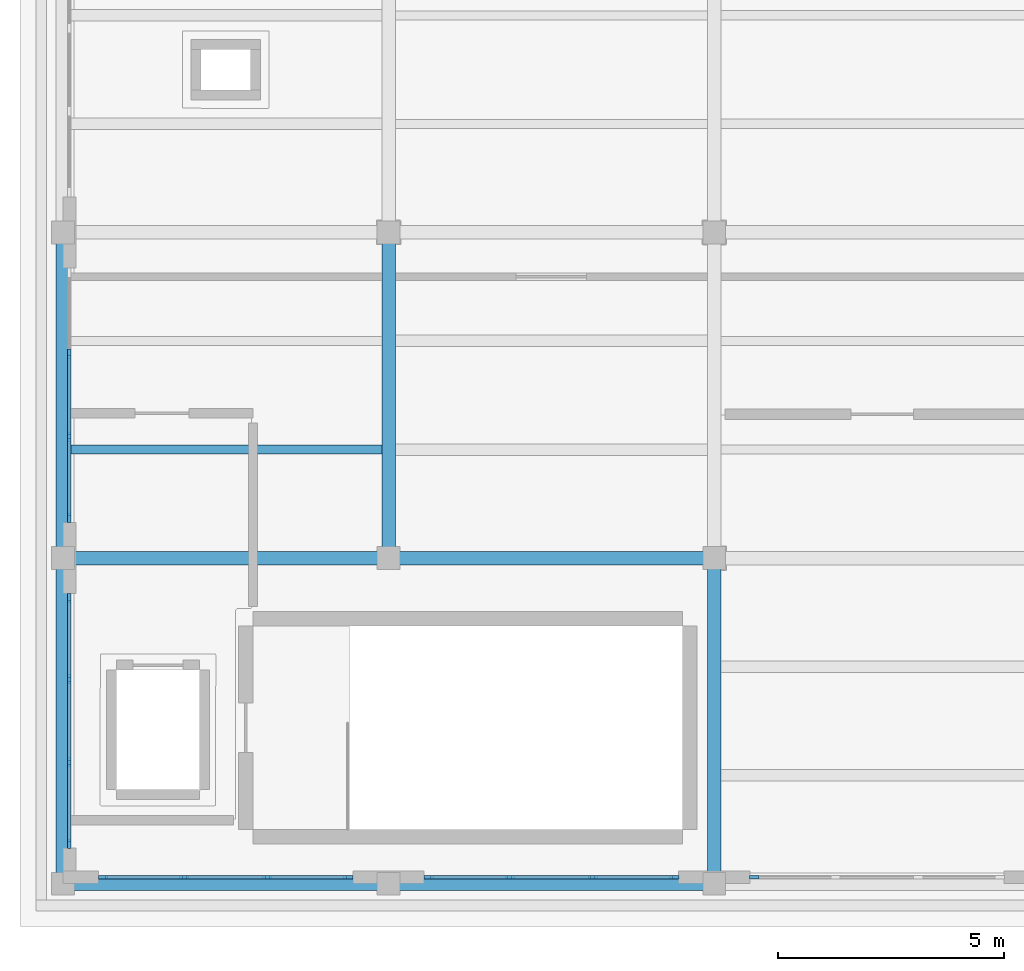
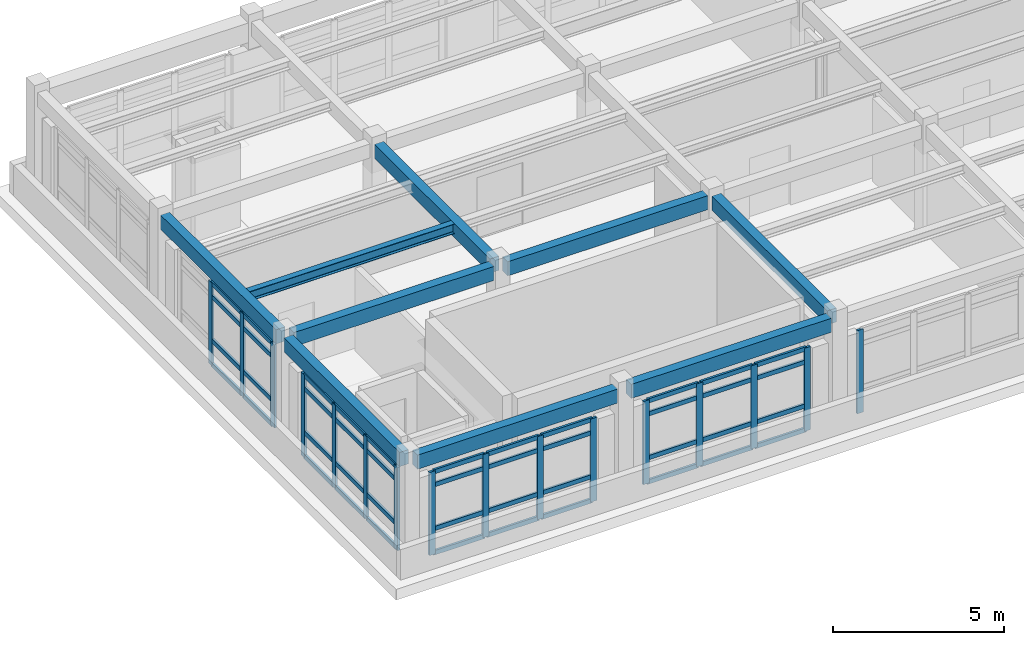
# One storey, part 2 of 12: 60 members, 9 beams, 5 elements without a shape of their own.
"""IFC4 building model written with IfcOpenShell, lengths in metres."""

from ifc_helpers import new_model, si_unit, direction, frame, origin, origin_2d, place, context, subcontext, project, spatial, rectangle, i_section, extrude, material, layer, layer_set, material_profile, profile_set, type_object, element, aggregate, save


model = new_model("IFC4")

# Units and contexts
model_context = context("Model", 3, precision=1e-05, world=origin(), true_north=direction((0.0, 1.0)))
body_context = subcontext(model_context, "Body", "Model", "MODEL_VIEW")
ifc_project = project(units=[si_unit("LENGTHUNIT", "METRE"), si_unit("AREAUNIT", "SQUARE_METRE"), si_unit("VOLUMEUNIT", "CUBIC_METRE"), si_unit("PLANEANGLEUNIT", "RADIAN"), si_unit("MASSUNIT", "GRAM", prefix="KILO")], contexts=[model_context])

# Site, building, storey
site_placement = place(None, origin())
site = spatial("IfcSite", under=ifc_project, at=site_placement, CompositionType="ELEMENT")
building_placement = place(site_placement, origin())
building = spatial("IfcBuilding", under=site, at=building_placement, Name="Solenvale Faculty of Natural Sciences", CompositionType="ELEMENT")
storey_placement = place(building_placement, frame((0.0, 0.0, 52.199951171875)))
storey = spatial("IfcBuildingStorey", under=building, at=storey_placement, Name="RF", CompositionType="ELEMENT", Elevation=52.199951171875)

# Beams
ifc_material_1 = material(Name="Concrete 40 MPa", Category="concrete")
ifc_material_profile_1 = material_profile(ifc_material_1, rectangle(XDim=0.300048828125, YDim=0.5, at=origin_2d()), Name="RC-BM-300x500")
ifc_profile_set_1 = profile_set([ifc_material_profile_1], Name="Concrete 40 MPa")
beam_type_1 = type_object("IfcBeamType", Name="BM-RC-300x500", PredefinedType="BEAM", material=ifc_profile_set_1)
for number, where, z_axis, x_axis, name in (
    (1, (101.030029296875, 93.60009765625, 3.670166015625), (1.0, 0.0, 0.0), (0.0, 1.0, 0.0), "RF X-Girder Y93.6 (100.8..108.0)"),
    (2, (108.22998046875, 93.60009765625, 3.670166015625), (1.0, 0.0, 0.0), (0.0, 1.0, 0.0), "RF X-Girder Y93.6 (108.0..115.2)"),
    (3, (101.030029296875, 100.800048828125, 3.670166015625), (1.0, 0.0, 0.0), (0.0, 1.0, 0.0), "RF X-Girder Y100.8 (100.8..108.0)"),
    (4, (108.22998046875, 100.800048828125, 3.670166015625), (1.0, 0.0, 0.0), (0.0, 1.0, 0.0), "RF X-Girder Y100.8 (108.0..115.2)"),
    (5, (100.800048828125, 93.830078125, 3.670166015625), (0.0, 1.0, 0.0), (-1.0, 0.0, 0.0), "RF Y-Girder X100.8 (93.6..100.8)"),
    (6, (100.800048828125, 101.030029296875, 3.670166015625), (0.0, 1.0, 0.0), (-1.0, 0.0, 0.0), "RF Y-Girder X100.8 (100.8..108.0)"),
    (7, (108.0, 101.030029296875, 3.670166015625), (0.0, 1.0, 0.0), (-1.0, 0.0, 0.0), "RF Y-Girder X108.0 (100.8..108.0)"),
    (8, (115.199951171875, 93.830078125, 3.670166015625), (0.0, 1.0, 0.0), (-1.0, 0.0, 0.0), "RF Y-Girder X115.2 (93.6..100.8)"),
):
    element("IfcBeam", number, at=place(storey_placement, frame(where, z_axis=z_axis, x_axis=x_axis)), inside=storey, type_object=beam_type_1, Name=name, PredefinedType="BEAM", context=body_context, shape_type="SweptSolid", body=[
        extrude(rectangle(XDim=0.300048828125, YDim=0.5, at=origin_2d()), origin(), (0.0, 0.0, 1.0), 6.739990234375),
    ])
ifc_material_2 = material(Name="Steel S355", Category="steel")
ifc_material_profile_2 = material_profile(ifc_material_2, i_section(OverallWidth=0.2041015625, OverallDepth=0.35009765625, WebThickness=0.008544921875, FlangeThickness=0.01513671875, FilletRadius=0.014892578125, at=origin_2d()), Name="W360x72")
ifc_profile_set_2 = profile_set([ifc_material_profile_2], Name="Steel S355")
beam_type_2 = type_object("IfcBeamType", Name="BM-STL-W360x72", PredefinedType="JOIST", material=ifc_profile_set_2)
beam_placement = place(storey_placement, frame((100.929931640625, 103.199951171875, 3.7451171875), z_axis=(1.0, 0.0, 0.0), x_axis=(0.0, 1.0, 0.0)))
element("IfcBeam", 9, at=beam_placement, inside=storey, type_object=beam_type_2, Name="RF Composite Floor Joist (15,15).1", PredefinedType="JOIST", context=body_context, shape_type="SweptSolid", body=[
    extrude(i_section(OverallWidth=0.2041015625, OverallDepth=0.35009765625, WebThickness=0.008544921875, FlangeThickness=0.01513671875, FilletRadius=0.014892578125, at=origin_2d()), origin(), (0.0, 0.0, 1.0), 6.940185546875),
])

# Curtain wall, members
ifc_material_3 = material(Name="Anodised bronze aluminium", Category="aluminium")
ifc_layer = layer(ifc_material_3, 0.179931640625)
ifc_layer_set = layer_set([ifc_layer], Name="Anodised bronze aluminium")
curtain_wall_type = type_object("IfcCurtainWallType", Name="CW-TWR-MOD", PredefinedType="USERDEFINED", material=ifc_layer_set)
curtain_wall_1_placement = place(storey_placement, origin())
curtain_wall_1 = element("IfcCurtainWall", 10, at=curtain_wall_1_placement, inside=storey, type_object=curtain_wall_type, Name="RF Curtain Wall CW-RF-P1-E3-B2", ObjectType="UNITISED CURTAIN WALL", PredefinedType="USERDEFINED")
ifc_material_profile_3 = material_profile(ifc_material_3, rectangle(XDim=0.074951171875, YDim=0.2099609375, at=origin_2d()), Name="ALU-MUL-75x210")
ifc_profile_set_3 = profile_set([ifc_material_profile_3], Name="Anodised bronze aluminium")
member_type_1 = type_object("IfcMemberType", Name="CWM-ALU-75x210", PredefinedType="MULLION", material=ifc_profile_set_3)
member_1_placement = place(storey_placement, frame((100.9423828125, 105.316650390625, 0.0), z_axis=(0.0, 0.0, 1.0), x_axis=(1.0, 0.0, 0.0)))
member_1 = element("IfcMember", 11, at=member_1_placement, type_object=member_type_1, Name="CW-04 mullion 2", PredefinedType="MULLION", context=body_context, shape_type="SweptSolid", body=[
    extrude(rectangle(XDim=0.074951171875, YDim=0.2099609375, at=origin_2d()), origin(), (0.0, 0.0, 1.0), 2.9599609375),
])
member_2_placement = place(storey_placement, frame((100.9423828125, 103.4833984375, 0.0), z_axis=(0.0, 0.0, 1.0), x_axis=(1.0, 0.0, 0.0)))
member_2 = element("IfcMember", 12, at=member_2_placement, type_object=member_type_1, Name="CW-04 mullion 3", PredefinedType="MULLION", context=body_context, shape_type="SweptSolid", body=[
    extrude(rectangle(XDim=0.074951171875, YDim=0.2099609375, at=origin_2d()), origin(), (0.0, 0.0, 1.0), 2.9599609375),
])
member_3_placement = place(storey_placement, frame((100.9423828125, 101.6875, 0.0), z_axis=(0.0, 0.0, 1.0), x_axis=(1.0, 0.0, 0.0)))
member_3 = element("IfcMember", 13, at=member_3_placement, type_object=member_type_1, Name="CW-04 mullion 4", PredefinedType="MULLION", context=body_context, shape_type="SweptSolid", body=[
    extrude(rectangle(XDim=0.074951171875, YDim=0.2099609375, at=origin_2d()), origin(), (0.0, 0.0, 1.0), 2.9599609375),
])

curtain_wall_2_placement = place(storey_placement, origin())
curtain_wall_2 = element("IfcCurtainWall", 14, at=curtain_wall_2_placement, inside=storey, type_object=curtain_wall_type, Name="RF Curtain Wall CW-RF-P1-E3-B3", ObjectType="UNITISED CURTAIN WALL", PredefinedType="USERDEFINED")
member_4_placement = place(storey_placement, frame((100.9423828125, 99.91259765625, 0.0), z_axis=(0.0, 0.0, 1.0), x_axis=(1.0, 0.0, 0.0)))
member_4 = element("IfcMember", 15, at=member_4_placement, type_object=member_type_1, Name="CW-04 mullion 1", PredefinedType="MULLION", context=body_context, shape_type="SweptSolid", body=[
    extrude(rectangle(XDim=0.074951171875, YDim=0.2099609375, at=origin_2d()), origin(), (0.0, 0.0, 1.0), 2.9599609375),
])
member_5_placement = place(storey_placement, frame((100.9423828125, 98.11669921875, 0.0), z_axis=(0.0, 0.0, 1.0), x_axis=(1.0, 0.0, 0.0)))
member_5 = element("IfcMember", 16, at=member_5_placement, type_object=member_type_1, Name="CW-04 mullion 2", PredefinedType="MULLION", context=body_context, shape_type="SweptSolid", body=[
    extrude(rectangle(XDim=0.074951171875, YDim=0.2099609375, at=origin_2d()), origin(), (0.0, 0.0, 1.0), 2.9599609375),
])
member_6_placement = place(storey_placement, frame((100.9423828125, 96.283447265625, 0.0), z_axis=(0.0, 0.0, 1.0), x_axis=(1.0, 0.0, 0.0)))
member_6 = element("IfcMember", 17, at=member_6_placement, type_object=member_type_1, Name="CW-04 mullion 3", PredefinedType="MULLION", context=body_context, shape_type="SweptSolid", body=[
    extrude(rectangle(XDim=0.074951171875, YDim=0.2099609375, at=origin_2d()), origin(), (0.0, 0.0, 1.0), 2.9599609375),
])
member_7_placement = place(storey_placement, frame((100.9423828125, 94.487548828125, 0.0), z_axis=(0.0, 0.0, 1.0), x_axis=(1.0, 0.0, 0.0)))
member_7 = element("IfcMember", 18, at=member_7_placement, type_object=member_type_1, Name="CW-04 mullion 4", PredefinedType="MULLION", context=body_context, shape_type="SweptSolid", body=[
    extrude(rectangle(XDim=0.074951171875, YDim=0.2099609375, at=origin_2d()), origin(), (0.0, 0.0, 1.0), 2.9599609375),
])

curtain_wall_3_placement = place(storey_placement, origin())
curtain_wall_3 = element("IfcCurtainWall", 19, at=curtain_wall_3_placement, inside=storey, type_object=curtain_wall_type, Name="RF Curtain Wall CW-RF-P1-E4-B1", ObjectType="UNITISED CURTAIN WALL", PredefinedType="USERDEFINED")
member_8_placement = place(storey_placement, frame((101.6875, 93.742431640625, 0.0), z_axis=(0.0, 0.0, 1.0), x_axis=(0.0, 1.0, 0.0)))
member_8 = element("IfcMember", 20, at=member_8_placement, type_object=member_type_1, Name="CW-04 mullion 1", PredefinedType="MULLION", context=body_context, shape_type="SweptSolid", body=[
    extrude(rectangle(XDim=0.074951171875, YDim=0.2099609375, at=origin_2d()), origin(), (0.0, 0.0, 1.0), 2.9599609375),
])
member_9_placement = place(storey_placement, frame((103.4833984375, 93.742431640625, 0.0), z_axis=(0.0, 0.0, 1.0), x_axis=(0.0, 1.0, 0.0)))
member_9 = element("IfcMember", 21, at=member_9_placement, type_object=member_type_1, Name="CW-04 mullion 2", PredefinedType="MULLION", context=body_context, shape_type="SweptSolid", body=[
    extrude(rectangle(XDim=0.074951171875, YDim=0.2099609375, at=origin_2d()), origin(), (0.0, 0.0, 1.0), 2.9599609375),
])
member_10_placement = place(storey_placement, frame((105.316650390625, 93.742431640625, 0.0), z_axis=(0.0, 0.0, 1.0), x_axis=(0.0, 1.0, 0.0)))
member_10 = element("IfcMember", 22, at=member_10_placement, type_object=member_type_1, Name="CW-04 mullion 3", PredefinedType="MULLION", context=body_context, shape_type="SweptSolid", body=[
    extrude(rectangle(XDim=0.074951171875, YDim=0.2099609375, at=origin_2d()), origin(), (0.0, 0.0, 1.0), 2.9599609375),
])
member_11_placement = place(storey_placement, frame((107.112548828125, 93.742431640625, 0.0), z_axis=(0.0, 0.0, 1.0), x_axis=(0.0, 1.0, 0.0)))
member_11 = element("IfcMember", 23, at=member_11_placement, type_object=member_type_1, Name="CW-04 mullion 4", PredefinedType="MULLION", context=body_context, shape_type="SweptSolid", body=[
    extrude(rectangle(XDim=0.074951171875, YDim=0.2099609375, at=origin_2d()), origin(), (0.0, 0.0, 1.0), 2.9599609375),
])

curtain_wall_4_placement = place(storey_placement, origin())
curtain_wall_4 = element("IfcCurtainWall", 24, at=curtain_wall_4_placement, inside=storey, type_object=curtain_wall_type, Name="RF Curtain Wall CW-RF-P1-E4-B2", ObjectType="UNITISED CURTAIN WALL", PredefinedType="USERDEFINED")
member_12_placement = place(storey_placement, frame((108.887451171875, 93.742431640625, 0.0), z_axis=(0.0, 0.0, 1.0), x_axis=(0.0, 1.0, 0.0)))
member_12 = element("IfcMember", 25, at=member_12_placement, type_object=member_type_1, Name="CW-04 mullion 1", PredefinedType="MULLION", context=body_context, shape_type="SweptSolid", body=[
    extrude(rectangle(XDim=0.074951171875, YDim=0.2099609375, at=origin_2d()), origin(), (0.0, 0.0, 1.0), 2.9599609375),
])
member_13_placement = place(storey_placement, frame((110.683349609375, 93.742431640625, 0.0), z_axis=(0.0, 0.0, 1.0), x_axis=(0.0, 1.0, 0.0)))
member_13 = element("IfcMember", 26, at=member_13_placement, type_object=member_type_1, Name="CW-04 mullion 2", PredefinedType="MULLION", context=body_context, shape_type="SweptSolid", body=[
    extrude(rectangle(XDim=0.074951171875, YDim=0.2099609375, at=origin_2d()), origin(), (0.0, 0.0, 1.0), 2.9599609375),
])
member_14_placement = place(storey_placement, frame((112.5166015625, 93.742431640625, 0.0), z_axis=(0.0, 0.0, 1.0), x_axis=(0.0, 1.0, 0.0)))
member_14 = element("IfcMember", 27, at=member_14_placement, type_object=member_type_1, Name="CW-04 mullion 3", PredefinedType="MULLION", context=body_context, shape_type="SweptSolid", body=[
    extrude(rectangle(XDim=0.074951171875, YDim=0.2099609375, at=origin_2d()), origin(), (0.0, 0.0, 1.0), 2.9599609375),
])
member_15_placement = place(storey_placement, frame((114.3125, 93.742431640625, 0.0), z_axis=(0.0, 0.0, 1.0), x_axis=(0.0, 1.0, 0.0)))
member_15 = element("IfcMember", 28, at=member_15_placement, type_object=member_type_1, Name="CW-04 mullion 4", PredefinedType="MULLION", context=body_context, shape_type="SweptSolid", body=[
    extrude(rectangle(XDim=0.074951171875, YDim=0.2099609375, at=origin_2d()), origin(), (0.0, 0.0, 1.0), 2.9599609375),
])

# Curtain wall, member
curtain_wall_5_placement = place(storey_placement, origin())
curtain_wall_5 = element("IfcCurtainWall", 29, at=curtain_wall_5_placement, inside=storey, type_object=curtain_wall_type, Name="RF Curtain Wall CW-RF-P1-E4-B3", ObjectType="UNITISED CURTAIN WALL", PredefinedType="USERDEFINED")
member_16_placement = place(storey_placement, frame((116.08740234375, 93.742431640625, 0.0), z_axis=(0.0, 0.0, 1.0), x_axis=(0.0, 1.0, 0.0)))
member_16 = element("IfcMember", 30, at=member_16_placement, type_object=member_type_1, Name="CW-04 mullion 1", PredefinedType="MULLION", context=body_context, shape_type="SweptSolid", body=[
    extrude(rectangle(XDim=0.074951171875, YDim=0.2099609375, at=origin_2d()), origin(), (0.0, 0.0, 1.0), 2.9599609375),
])
aggregate(curtain_wall_5, [member_16])

# Member
ifc_material_profile_4 = material_profile(ifc_material_3, rectangle(XDim=0.074951171875, YDim=0.155029296875, at=origin_2d()), Name="ALU-TRN-75x155")
ifc_profile_set_4 = profile_set([ifc_material_profile_4], Name="Anodised bronze aluminium")
member_type_2 = type_object("IfcMemberType", Name="CWT-ALU-75x155", PredefinedType="USERDEFINED", material=ifc_profile_set_4)
member_17_placement = place(storey_placement, frame((100.9423828125, 105.279052734375, 0.03759765625), z_axis=(0.0, -1.0, 0.0), x_axis=(1.0, 0.0, 0.0)))
member_17 = element("IfcMember", 31, at=member_17_placement, type_object=member_type_2, Name="CW-04 transom 2.1", ObjectType="TRANSOM", PredefinedType="USERDEFINED", context=body_context, shape_type="SweptSolid", body=[
    extrude(rectangle(XDim=0.074951171875, YDim=0.155029296875, at=origin_2d()), origin(), (0.0, 0.0, 1.0), 1.75830078125),
])

member_18_placement = place(storey_placement, frame((100.9423828125, 105.279052734375, 0.900146484375), z_axis=(0.0, -1.0, 0.0), x_axis=(1.0, 0.0, 0.0)))
member_18 = element("IfcMember", 32, at=member_18_placement, type_object=member_type_2, Name="CW-04 transom 2.2", ObjectType="TRANSOM", PredefinedType="USERDEFINED", context=body_context, shape_type="SweptSolid", body=[
    extrude(rectangle(XDim=0.074951171875, YDim=0.155029296875, at=origin_2d()), origin(), (0.0, 0.0, 1.0), 1.75830078125),
])

member_19_placement = place(storey_placement, frame((100.9423828125, 105.279052734375, 2.4599609375), z_axis=(0.0, -1.0, 0.0), x_axis=(1.0, 0.0, 0.0)))
member_19 = element("IfcMember", 33, at=member_19_placement, type_object=member_type_2, Name="CW-04 transom 2.3", ObjectType="TRANSOM", PredefinedType="USERDEFINED", context=body_context, shape_type="SweptSolid", body=[
    extrude(rectangle(XDim=0.074951171875, YDim=0.155029296875, at=origin_2d()), origin(), (0.0, 0.0, 1.0), 1.75830078125),
])

member_20_placement = place(storey_placement, frame((100.9423828125, 105.279052734375, 2.922607421875), z_axis=(0.0, -1.0, 0.0), x_axis=(1.0, 0.0, 0.0)))
member_20 = element("IfcMember", 34, at=member_20_placement, type_object=member_type_2, Name="CW-04 transom 2.4", ObjectType="TRANSOM", PredefinedType="USERDEFINED", context=body_context, shape_type="SweptSolid", body=[
    extrude(rectangle(XDim=0.074951171875, YDim=0.155029296875, at=origin_2d()), origin(), (0.0, 0.0, 1.0), 1.75830078125),
])

member_21_placement = place(storey_placement, frame((100.9423828125, 103.44580078125, 0.03759765625), z_axis=(0.0, -1.0, 0.0), x_axis=(1.0, 0.0, 0.0)))
member_21 = element("IfcMember", 35, at=member_21_placement, type_object=member_type_2, Name="CW-04 transom 3.1", ObjectType="TRANSOM", PredefinedType="USERDEFINED", context=body_context, shape_type="SweptSolid", body=[
    extrude(rectangle(XDim=0.074951171875, YDim=0.155029296875, at=origin_2d()), origin(), (0.0, 0.0, 1.0), 1.720703125),
])

member_22_placement = place(storey_placement, frame((100.9423828125, 103.44580078125, 0.900146484375), z_axis=(0.0, -1.0, 0.0), x_axis=(1.0, 0.0, 0.0)))
member_22 = element("IfcMember", 36, at=member_22_placement, type_object=member_type_2, Name="CW-04 transom 3.2", ObjectType="TRANSOM", PredefinedType="USERDEFINED", context=body_context, shape_type="SweptSolid", body=[
    extrude(rectangle(XDim=0.074951171875, YDim=0.155029296875, at=origin_2d()), origin(), (0.0, 0.0, 1.0), 1.720703125),
])

member_23_placement = place(storey_placement, frame((100.9423828125, 103.44580078125, 2.4599609375), z_axis=(0.0, -1.0, 0.0), x_axis=(1.0, 0.0, 0.0)))
member_23 = element("IfcMember", 37, at=member_23_placement, type_object=member_type_2, Name="CW-04 transom 3.3", ObjectType="TRANSOM", PredefinedType="USERDEFINED", context=body_context, shape_type="SweptSolid", body=[
    extrude(rectangle(XDim=0.074951171875, YDim=0.155029296875, at=origin_2d()), origin(), (0.0, 0.0, 1.0), 1.720703125),
])

member_24_placement = place(storey_placement, frame((100.9423828125, 103.44580078125, 2.922607421875), z_axis=(0.0, -1.0, 0.0), x_axis=(1.0, 0.0, 0.0)))
member_24 = element("IfcMember", 38, at=member_24_placement, type_object=member_type_2, Name="CW-04 transom 3.4", ObjectType="TRANSOM", PredefinedType="USERDEFINED", context=body_context, shape_type="SweptSolid", body=[
    extrude(rectangle(XDim=0.074951171875, YDim=0.155029296875, at=origin_2d()), origin(), (0.0, 0.0, 1.0), 1.720703125),
])

aggregate(curtain_wall_1, [member_1, member_2, member_3, member_17, member_18, member_19, member_20, member_21, member_22, member_23, member_24])

member_25_placement = place(storey_placement, frame((100.9423828125, 99.875, 0.03759765625), z_axis=(0.0, -1.0, 0.0), x_axis=(1.0, 0.0, 0.0)))
member_25 = element("IfcMember", 39, at=member_25_placement, type_object=member_type_2, Name="CW-04 transom 1.1", ObjectType="TRANSOM", PredefinedType="USERDEFINED", context=body_context, shape_type="SweptSolid", body=[
    extrude(rectangle(XDim=0.074951171875, YDim=0.155029296875, at=origin_2d()), origin(), (0.0, 0.0, 1.0), 1.720947265625),
])

member_26_placement = place(storey_placement, frame((100.9423828125, 99.875, 0.900146484375), z_axis=(0.0, -1.0, 0.0), x_axis=(1.0, 0.0, 0.0)))
member_26 = element("IfcMember", 40, at=member_26_placement, type_object=member_type_2, Name="CW-04 transom 1.2", ObjectType="TRANSOM", PredefinedType="USERDEFINED", context=body_context, shape_type="SweptSolid", body=[
    extrude(rectangle(XDim=0.074951171875, YDim=0.155029296875, at=origin_2d()), origin(), (0.0, 0.0, 1.0), 1.720947265625),
])

member_27_placement = place(storey_placement, frame((100.9423828125, 99.875, 2.4599609375), z_axis=(0.0, -1.0, 0.0), x_axis=(1.0, 0.0, 0.0)))
member_27 = element("IfcMember", 41, at=member_27_placement, type_object=member_type_2, Name="CW-04 transom 1.3", ObjectType="TRANSOM", PredefinedType="USERDEFINED", context=body_context, shape_type="SweptSolid", body=[
    extrude(rectangle(XDim=0.074951171875, YDim=0.155029296875, at=origin_2d()), origin(), (0.0, 0.0, 1.0), 1.720947265625),
])

member_28_placement = place(storey_placement, frame((100.9423828125, 99.875, 2.922607421875), z_axis=(0.0, -1.0, 0.0), x_axis=(1.0, 0.0, 0.0)))
member_28 = element("IfcMember", 42, at=member_28_placement, type_object=member_type_2, Name="CW-04 transom 1.4", ObjectType="TRANSOM", PredefinedType="USERDEFINED", context=body_context, shape_type="SweptSolid", body=[
    extrude(rectangle(XDim=0.074951171875, YDim=0.155029296875, at=origin_2d()), origin(), (0.0, 0.0, 1.0), 1.720947265625),
])

member_29_placement = place(storey_placement, frame((100.9423828125, 98.0791015625, 0.03759765625), z_axis=(0.0, -1.0, 0.0), x_axis=(1.0, 0.0, 0.0)))
member_29 = element("IfcMember", 43, at=member_29_placement, type_object=member_type_2, Name="CW-04 transom 2.1", ObjectType="TRANSOM", PredefinedType="USERDEFINED", context=body_context, shape_type="SweptSolid", body=[
    extrude(rectangle(XDim=0.074951171875, YDim=0.155029296875, at=origin_2d()), origin(), (0.0, 0.0, 1.0), 1.75830078125),
])

member_30_placement = place(storey_placement, frame((100.9423828125, 98.0791015625, 0.900146484375), z_axis=(0.0, -1.0, 0.0), x_axis=(1.0, 0.0, 0.0)))
member_30 = element("IfcMember", 44, at=member_30_placement, type_object=member_type_2, Name="CW-04 transom 2.2", ObjectType="TRANSOM", PredefinedType="USERDEFINED", context=body_context, shape_type="SweptSolid", body=[
    extrude(rectangle(XDim=0.074951171875, YDim=0.155029296875, at=origin_2d()), origin(), (0.0, 0.0, 1.0), 1.75830078125),
])

member_31_placement = place(storey_placement, frame((100.9423828125, 98.0791015625, 2.4599609375), z_axis=(0.0, -1.0, 0.0), x_axis=(1.0, 0.0, 0.0)))
member_31 = element("IfcMember", 45, at=member_31_placement, type_object=member_type_2, Name="CW-04 transom 2.3", ObjectType="TRANSOM", PredefinedType="USERDEFINED", context=body_context, shape_type="SweptSolid", body=[
    extrude(rectangle(XDim=0.074951171875, YDim=0.155029296875, at=origin_2d()), origin(), (0.0, 0.0, 1.0), 1.75830078125),
])

member_32_placement = place(storey_placement, frame((100.9423828125, 98.0791015625, 2.922607421875), z_axis=(0.0, -1.0, 0.0), x_axis=(1.0, 0.0, 0.0)))
member_32 = element("IfcMember", 46, at=member_32_placement, type_object=member_type_2, Name="CW-04 transom 2.4", ObjectType="TRANSOM", PredefinedType="USERDEFINED", context=body_context, shape_type="SweptSolid", body=[
    extrude(rectangle(XDim=0.074951171875, YDim=0.155029296875, at=origin_2d()), origin(), (0.0, 0.0, 1.0), 1.75830078125),
])

member_33_placement = place(storey_placement, frame((100.9423828125, 96.245849609375, 0.03759765625), z_axis=(0.0, -1.0, 0.0), x_axis=(1.0, 0.0, 0.0)))
member_33 = element("IfcMember", 47, at=member_33_placement, type_object=member_type_2, Name="CW-04 transom 3.1", ObjectType="TRANSOM", PredefinedType="USERDEFINED", context=body_context, shape_type="SweptSolid", body=[
    extrude(rectangle(XDim=0.074951171875, YDim=0.155029296875, at=origin_2d()), origin(), (0.0, 0.0, 1.0), 1.720947265625),
])

member_34_placement = place(storey_placement, frame((100.9423828125, 96.245849609375, 0.900146484375), z_axis=(0.0, -1.0, 0.0), x_axis=(1.0, 0.0, 0.0)))
member_34 = element("IfcMember", 48, at=member_34_placement, type_object=member_type_2, Name="CW-04 transom 3.2", ObjectType="TRANSOM", PredefinedType="USERDEFINED", context=body_context, shape_type="SweptSolid", body=[
    extrude(rectangle(XDim=0.074951171875, YDim=0.155029296875, at=origin_2d()), origin(), (0.0, 0.0, 1.0), 1.720947265625),
])

member_35_placement = place(storey_placement, frame((100.9423828125, 96.245849609375, 2.4599609375), z_axis=(0.0, -1.0, 0.0), x_axis=(1.0, 0.0, 0.0)))
member_35 = element("IfcMember", 49, at=member_35_placement, type_object=member_type_2, Name="CW-04 transom 3.3", ObjectType="TRANSOM", PredefinedType="USERDEFINED", context=body_context, shape_type="SweptSolid", body=[
    extrude(rectangle(XDim=0.074951171875, YDim=0.155029296875, at=origin_2d()), origin(), (0.0, 0.0, 1.0), 1.720947265625),
])

member_36_placement = place(storey_placement, frame((100.9423828125, 96.245849609375, 2.922607421875), z_axis=(0.0, -1.0, 0.0), x_axis=(1.0, 0.0, 0.0)))
member_36 = element("IfcMember", 50, at=member_36_placement, type_object=member_type_2, Name="CW-04 transom 3.4", ObjectType="TRANSOM", PredefinedType="USERDEFINED", context=body_context, shape_type="SweptSolid", body=[
    extrude(rectangle(XDim=0.074951171875, YDim=0.155029296875, at=origin_2d()), origin(), (0.0, 0.0, 1.0), 1.720947265625),
])

aggregate(curtain_wall_2, [member_4, member_5, member_6, member_7, member_25, member_26, member_27, member_28, member_29, member_30, member_31, member_32, member_33, member_34, member_35, member_36])

member_37_placement = place(storey_placement, frame((101.72509765625, 93.742431640625, 0.03759765625), z_axis=(1.0, 0.0, 0.0), x_axis=(0.0, 1.0, 0.0)))
member_37 = element("IfcMember", 51, at=member_37_placement, type_object=member_type_2, Name="CW-04 transom 1.1", ObjectType="TRANSOM", PredefinedType="USERDEFINED", context=body_context, shape_type="SweptSolid", body=[
    extrude(rectangle(XDim=0.074951171875, YDim=0.155029296875, at=origin_2d()), origin(), (0.0, 0.0, 1.0), 1.720703125),
])

member_38_placement = place(storey_placement, frame((101.72509765625, 93.742431640625, 0.900146484375), z_axis=(1.0, 0.0, 0.0), x_axis=(0.0, 1.0, 0.0)))
member_38 = element("IfcMember", 52, at=member_38_placement, type_object=member_type_2, Name="CW-04 transom 1.2", ObjectType="TRANSOM", PredefinedType="USERDEFINED", context=body_context, shape_type="SweptSolid", body=[
    extrude(rectangle(XDim=0.074951171875, YDim=0.155029296875, at=origin_2d()), origin(), (0.0, 0.0, 1.0), 1.720703125),
])

member_39_placement = place(storey_placement, frame((101.72509765625, 93.742431640625, 2.4599609375), z_axis=(1.0, 0.0, 0.0), x_axis=(0.0, 1.0, 0.0)))
member_39 = element("IfcMember", 53, at=member_39_placement, type_object=member_type_2, Name="CW-04 transom 1.3", ObjectType="TRANSOM", PredefinedType="USERDEFINED", context=body_context, shape_type="SweptSolid", body=[
    extrude(rectangle(XDim=0.074951171875, YDim=0.155029296875, at=origin_2d()), origin(), (0.0, 0.0, 1.0), 1.720703125),
])

member_40_placement = place(storey_placement, frame((101.72509765625, 93.742431640625, 2.922607421875), z_axis=(1.0, 0.0, 0.0), x_axis=(0.0, 1.0, 0.0)))
member_40 = element("IfcMember", 54, at=member_40_placement, type_object=member_type_2, Name="CW-04 transom 1.4", ObjectType="TRANSOM", PredefinedType="USERDEFINED", context=body_context, shape_type="SweptSolid", body=[
    extrude(rectangle(XDim=0.074951171875, YDim=0.155029296875, at=origin_2d()), origin(), (0.0, 0.0, 1.0), 1.720703125),
])

member_41_placement = place(storey_placement, frame((103.520751953125, 93.742431640625, 0.03759765625), z_axis=(1.0, 0.0, 0.0), x_axis=(0.0, 1.0, 0.0)))
member_41 = element("IfcMember", 55, at=member_41_placement, type_object=member_type_2, Name="CW-04 transom 2.1", ObjectType="TRANSOM", PredefinedType="USERDEFINED", context=body_context, shape_type="SweptSolid", body=[
    extrude(rectangle(XDim=0.074951171875, YDim=0.155029296875, at=origin_2d()), origin(), (0.0, 0.0, 1.0), 1.75830078125),
])

member_42_placement = place(storey_placement, frame((103.520751953125, 93.742431640625, 0.900146484375), z_axis=(1.0, 0.0, 0.0), x_axis=(0.0, 1.0, 0.0)))
member_42 = element("IfcMember", 56, at=member_42_placement, type_object=member_type_2, Name="CW-04 transom 2.2", ObjectType="TRANSOM", PredefinedType="USERDEFINED", context=body_context, shape_type="SweptSolid", body=[
    extrude(rectangle(XDim=0.074951171875, YDim=0.155029296875, at=origin_2d()), origin(), (0.0, 0.0, 1.0), 1.75830078125),
])

member_43_placement = place(storey_placement, frame((103.520751953125, 93.742431640625, 2.4599609375), z_axis=(1.0, 0.0, 0.0), x_axis=(0.0, 1.0, 0.0)))
member_43 = element("IfcMember", 57, at=member_43_placement, type_object=member_type_2, Name="CW-04 transom 2.3", ObjectType="TRANSOM", PredefinedType="USERDEFINED", context=body_context, shape_type="SweptSolid", body=[
    extrude(rectangle(XDim=0.074951171875, YDim=0.155029296875, at=origin_2d()), origin(), (0.0, 0.0, 1.0), 1.75830078125),
])

member_44_placement = place(storey_placement, frame((103.520751953125, 93.742431640625, 2.922607421875), z_axis=(1.0, 0.0, 0.0), x_axis=(0.0, 1.0, 0.0)))
member_44 = element("IfcMember", 58, at=member_44_placement, type_object=member_type_2, Name="CW-04 transom 2.4", ObjectType="TRANSOM", PredefinedType="USERDEFINED", context=body_context, shape_type="SweptSolid", body=[
    extrude(rectangle(XDim=0.074951171875, YDim=0.155029296875, at=origin_2d()), origin(), (0.0, 0.0, 1.0), 1.75830078125),
])

member_45_placement = place(storey_placement, frame((105.354248046875, 93.742431640625, 0.03759765625), z_axis=(1.0, 0.0, 0.0), x_axis=(0.0, 1.0, 0.0)))
member_45 = element("IfcMember", 59, at=member_45_placement, type_object=member_type_2, Name="CW-04 transom 3.1", ObjectType="TRANSOM", PredefinedType="USERDEFINED", context=body_context, shape_type="SweptSolid", body=[
    extrude(rectangle(XDim=0.074951171875, YDim=0.155029296875, at=origin_2d()), origin(), (0.0, 0.0, 1.0), 1.720703125),
])

member_46_placement = place(storey_placement, frame((105.354248046875, 93.742431640625, 0.900146484375), z_axis=(1.0, 0.0, 0.0), x_axis=(0.0, 1.0, 0.0)))
member_46 = element("IfcMember", 60, at=member_46_placement, type_object=member_type_2, Name="CW-04 transom 3.2", ObjectType="TRANSOM", PredefinedType="USERDEFINED", context=body_context, shape_type="SweptSolid", body=[
    extrude(rectangle(XDim=0.074951171875, YDim=0.155029296875, at=origin_2d()), origin(), (0.0, 0.0, 1.0), 1.720703125),
])

member_47_placement = place(storey_placement, frame((105.354248046875, 93.742431640625, 2.4599609375), z_axis=(1.0, 0.0, 0.0), x_axis=(0.0, 1.0, 0.0)))
member_47 = element("IfcMember", 61, at=member_47_placement, type_object=member_type_2, Name="CW-04 transom 3.3", ObjectType="TRANSOM", PredefinedType="USERDEFINED", context=body_context, shape_type="SweptSolid", body=[
    extrude(rectangle(XDim=0.074951171875, YDim=0.155029296875, at=origin_2d()), origin(), (0.0, 0.0, 1.0), 1.720703125),
])

member_48_placement = place(storey_placement, frame((105.354248046875, 93.742431640625, 2.922607421875), z_axis=(1.0, 0.0, 0.0), x_axis=(0.0, 1.0, 0.0)))
member_48 = element("IfcMember", 62, at=member_48_placement, type_object=member_type_2, Name="CW-04 transom 3.4", ObjectType="TRANSOM", PredefinedType="USERDEFINED", context=body_context, shape_type="SweptSolid", body=[
    extrude(rectangle(XDim=0.074951171875, YDim=0.155029296875, at=origin_2d()), origin(), (0.0, 0.0, 1.0), 1.720703125),
])

aggregate(curtain_wall_3, [member_8, member_9, member_10, member_11, member_37, member_38, member_39, member_40, member_41, member_42, member_43, member_44, member_45, member_46, member_47, member_48])

member_49_placement = place(storey_placement, frame((108.925048828125, 93.742431640625, 0.03759765625), z_axis=(1.0, 0.0, 0.0), x_axis=(0.0, 1.0, 0.0)))
member_49 = element("IfcMember", 63, at=member_49_placement, type_object=member_type_2, Name="CW-04 transom 1.1", ObjectType="TRANSOM", PredefinedType="USERDEFINED", context=body_context, shape_type="SweptSolid", body=[
    extrude(rectangle(XDim=0.074951171875, YDim=0.155029296875, at=origin_2d()), origin(), (0.0, 0.0, 1.0), 1.720703125),
])

member_50_placement = place(storey_placement, frame((108.925048828125, 93.742431640625, 0.900146484375), z_axis=(1.0, 0.0, 0.0), x_axis=(0.0, 1.0, 0.0)))
member_50 = element("IfcMember", 64, at=member_50_placement, type_object=member_type_2, Name="CW-04 transom 1.2", ObjectType="TRANSOM", PredefinedType="USERDEFINED", context=body_context, shape_type="SweptSolid", body=[
    extrude(rectangle(XDim=0.074951171875, YDim=0.155029296875, at=origin_2d()), origin(), (0.0, 0.0, 1.0), 1.720703125),
])

member_51_placement = place(storey_placement, frame((108.925048828125, 93.742431640625, 2.4599609375), z_axis=(1.0, 0.0, 0.0), x_axis=(0.0, 1.0, 0.0)))
member_51 = element("IfcMember", 65, at=member_51_placement, type_object=member_type_2, Name="CW-04 transom 1.3", ObjectType="TRANSOM", PredefinedType="USERDEFINED", context=body_context, shape_type="SweptSolid", body=[
    extrude(rectangle(XDim=0.074951171875, YDim=0.155029296875, at=origin_2d()), origin(), (0.0, 0.0, 1.0), 1.720703125),
])

member_52_placement = place(storey_placement, frame((108.925048828125, 93.742431640625, 2.922607421875), z_axis=(1.0, 0.0, 0.0), x_axis=(0.0, 1.0, 0.0)))
member_52 = element("IfcMember", 66, at=member_52_placement, type_object=member_type_2, Name="CW-04 transom 1.4", ObjectType="TRANSOM", PredefinedType="USERDEFINED", context=body_context, shape_type="SweptSolid", body=[
    extrude(rectangle(XDim=0.074951171875, YDim=0.155029296875, at=origin_2d()), origin(), (0.0, 0.0, 1.0), 1.720703125),
])

member_53_placement = place(storey_placement, frame((110.720947265625, 93.742431640625, 0.03759765625), z_axis=(1.0, 0.0, 0.0), x_axis=(0.0, 1.0, 0.0)))
member_53 = element("IfcMember", 67, at=member_53_placement, type_object=member_type_2, Name="CW-04 transom 2.1", ObjectType="TRANSOM", PredefinedType="USERDEFINED", context=body_context, shape_type="SweptSolid", body=[
    extrude(rectangle(XDim=0.074951171875, YDim=0.155029296875, at=origin_2d()), origin(), (0.0, 0.0, 1.0), 1.75830078125),
])

member_54_placement = place(storey_placement, frame((110.720947265625, 93.742431640625, 0.900146484375), z_axis=(1.0, 0.0, 0.0), x_axis=(0.0, 1.0, 0.0)))
member_54 = element("IfcMember", 68, at=member_54_placement, type_object=member_type_2, Name="CW-04 transom 2.2", ObjectType="TRANSOM", PredefinedType="USERDEFINED", context=body_context, shape_type="SweptSolid", body=[
    extrude(rectangle(XDim=0.074951171875, YDim=0.155029296875, at=origin_2d()), origin(), (0.0, 0.0, 1.0), 1.75830078125),
])

member_55_placement = place(storey_placement, frame((110.720947265625, 93.742431640625, 2.4599609375), z_axis=(1.0, 0.0, 0.0), x_axis=(0.0, 1.0, 0.0)))
member_55 = element("IfcMember", 69, at=member_55_placement, type_object=member_type_2, Name="CW-04 transom 2.3", ObjectType="TRANSOM", PredefinedType="USERDEFINED", context=body_context, shape_type="SweptSolid", body=[
    extrude(rectangle(XDim=0.074951171875, YDim=0.155029296875, at=origin_2d()), origin(), (0.0, 0.0, 1.0), 1.75830078125),
])

member_56_placement = place(storey_placement, frame((110.720947265625, 93.742431640625, 2.922607421875), z_axis=(1.0, 0.0, 0.0), x_axis=(0.0, 1.0, 0.0)))
member_56 = element("IfcMember", 70, at=member_56_placement, type_object=member_type_2, Name="CW-04 transom 2.4", ObjectType="TRANSOM", PredefinedType="USERDEFINED", context=body_context, shape_type="SweptSolid", body=[
    extrude(rectangle(XDim=0.074951171875, YDim=0.155029296875, at=origin_2d()), origin(), (0.0, 0.0, 1.0), 1.75830078125),
])

member_57_placement = place(storey_placement, frame((112.55419921875, 93.742431640625, 0.03759765625), z_axis=(1.0, 0.0, 0.0), x_axis=(0.0, 1.0, 0.0)))
member_57 = element("IfcMember", 71, at=member_57_placement, type_object=member_type_2, Name="CW-04 transom 3.1", ObjectType="TRANSOM", PredefinedType="USERDEFINED", context=body_context, shape_type="SweptSolid", body=[
    extrude(rectangle(XDim=0.074951171875, YDim=0.155029296875, at=origin_2d()), origin(), (0.0, 0.0, 1.0), 1.720703125),
])

member_58_placement = place(storey_placement, frame((112.55419921875, 93.742431640625, 0.900146484375), z_axis=(1.0, 0.0, 0.0), x_axis=(0.0, 1.0, 0.0)))
member_58 = element("IfcMember", 72, at=member_58_placement, type_object=member_type_2, Name="CW-04 transom 3.2", ObjectType="TRANSOM", PredefinedType="USERDEFINED", context=body_context, shape_type="SweptSolid", body=[
    extrude(rectangle(XDim=0.074951171875, YDim=0.155029296875, at=origin_2d()), origin(), (0.0, 0.0, 1.0), 1.720703125),
])

member_59_placement = place(storey_placement, frame((112.55419921875, 93.742431640625, 2.4599609375), z_axis=(1.0, 0.0, 0.0), x_axis=(0.0, 1.0, 0.0)))
member_59 = element("IfcMember", 73, at=member_59_placement, type_object=member_type_2, Name="CW-04 transom 3.3", ObjectType="TRANSOM", PredefinedType="USERDEFINED", context=body_context, shape_type="SweptSolid", body=[
    extrude(rectangle(XDim=0.074951171875, YDim=0.155029296875, at=origin_2d()), origin(), (0.0, 0.0, 1.0), 1.720703125),
])

member_60_placement = place(storey_placement, frame((112.55419921875, 93.742431640625, 2.922607421875), z_axis=(1.0, 0.0, 0.0), x_axis=(0.0, 1.0, 0.0)))
member_60 = element("IfcMember", 74, at=member_60_placement, type_object=member_type_2, Name="CW-04 transom 3.4", ObjectType="TRANSOM", PredefinedType="USERDEFINED", context=body_context, shape_type="SweptSolid", body=[
    extrude(rectangle(XDim=0.074951171875, YDim=0.155029296875, at=origin_2d()), origin(), (0.0, 0.0, 1.0), 1.720703125),
])

aggregate(curtain_wall_4, [member_12, member_13, member_14, member_15, member_49, member_50, member_51, member_52, member_53, member_54, member_55, member_56, member_57, member_58, member_59, member_60])

save(model, "model.ifc")
